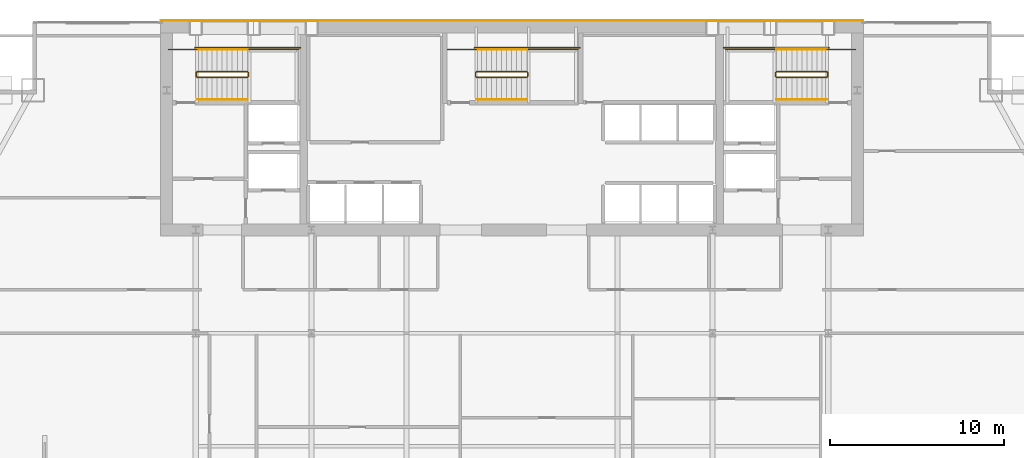
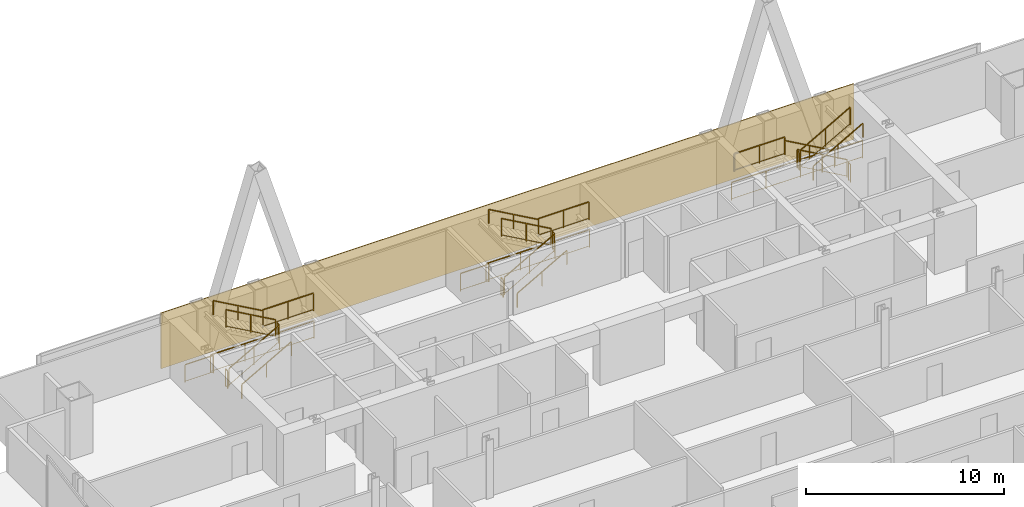
# One storey, part 30 of 30: 27 railings, 1 covering.
"""IFC4 building model written with IfcOpenShell, lengths in metres."""

from ifc_helpers import new_model, si_unit, direction, frame, origin, origin_2d, place, context, subcontext, project, spatial, polyline, rectangle, outline, extrude, material, layer, layer_set, type_object, element, save


model = new_model("IFC4")

# Units and contexts
model_context = context("Model", 3, precision=1e-05, world=origin(), true_north=direction((0.0, 1.0)))
body_context = subcontext(model_context, "Body", "Model", "MODEL_VIEW")
ifc_project = project(units=[si_unit("LENGTHUNIT", "METRE"), si_unit("AREAUNIT", "SQUARE_METRE"), si_unit("VOLUMEUNIT", "CUBIC_METRE"), si_unit("PLANEANGLEUNIT", "RADIAN"), si_unit("MASSUNIT", "GRAM", prefix="KILO")], contexts=[model_context])

# Site, building, storey
site_placement = place(None, origin())
site = spatial("IfcSite", under=ifc_project, at=site_placement, CompositionType="ELEMENT")
building_placement = place(site_placement, origin())
building = spatial("IfcBuilding", under=site, at=building_placement, Name="Khoronbel Lancet Exchange", CompositionType="ELEMENT")
storey_placement = place(building_placement, frame((0.0, 0.0, 136.199951171875)))
storey = spatial("IfcBuildingStorey", under=building, at=storey_placement, Name="L33", CompositionType="ELEMENT", Elevation=136.199951171875)

# Covering
ifc_material_1 = material(Name="Honed Egyptian Limestone & Bronze Rainscreen", Category="masonry")
ifc_layer = layer(ifc_material_1, 0.050048828125, Name="Honed Egyptian Limestone & Bronze Rainscreen")
ifc_layer_set = layer_set([ifc_layer], Name="Honed Egyptian Limestone & Bronze Rainscreen")
covering_type = type_object("IfcCoveringType", Name="COV-CLAD1", PredefinedType="CLADDING", material=ifc_layer_set)
covering_placement = place(storey_placement, origin())
element("IfcCovering", 1, at=covering_placement, inside=storey, type_object=covering_type, Name="Level L33 north rear-core stone and bronze rainscreen cladding", PredefinedType="CLADDING", context=body_context, shape_type="SweptSolid", body=[
    extrude(outline(polyline([(16.199951171875, 53.699951171875), (56.699951171875, 53.699951171875), (56.699951171875, 53.75), (16.199951171875, 53.75), (16.199951171875, 53.699951171875)])), origin(), (0.0, 0.0, 1.0), 3.43994140625),
])

# Railings
ifc_material_2 = material(Name="Painted Steel Balustrade", Category="steel")
railing_type_1 = type_object("IfcRailingType", Name="RL-STG110", PredefinedType="GUARDRAIL", material=ifc_material_2)
railing_1_placement = place(storey_placement, frame((18.300048828125, 50.449951171875, 0.16357421875)))
element("IfcRailing", 2, at=railing_1_placement, inside=storey, type_object=railing_type_1, Name="L33 ST1 stair guard 1", PredefinedType="GUARDRAIL", context=body_context, shape_type="SweptSolid", body=[
    extrude(rectangle(XDim=0.048095703125, YDim=0.048095703125, at=origin_2d()), frame((0.0, 0.0, 1.09619140625), z_axis=(0.870897200241, 0.0, 0.491465224214), x_axis=(0.0, 1.0, 0.0)), (0.0, 0.0, 1.0), 3.329833984375),
    extrude(rectangle(XDim=0.02392578125, YDim=0.02392578125, at=origin_2d()), frame((0.0, 0.0, 0.080078125), z_axis=(0.870897200241, 0.0, 0.491465224214), x_axis=(0.0, 1.0, 0.0)), (0.0, 0.0, 1.0), 3.329833984375),
    extrude(rectangle(XDim=0.0419921875, YDim=0.0419921875, at=origin_2d()), origin(), (0.0, 0.0, 1.0), 1.072021484375),
    extrude(rectangle(XDim=0.0419921875, YDim=0.0419921875, at=origin_2d()), frame((1.449951171875, 0.0, 0.818359375)), (0.0, 0.0, 1.0), 1.072021484375),
    extrude(rectangle(XDim=0.0419921875, YDim=0.0419921875, at=origin_2d()), frame((2.89990234375, 0.0, 1.636474609375)), (0.0, 0.0, 1.0), 1.072021484375),
])
railing_2_placement = place(storey_placement, frame((21.25, 50.5, 1.800048828125)))
element("IfcRailing", 3, at=railing_2_placement, inside=storey, type_object=railing_type_1, Name="L33 ST1 stair guard 2", PredefinedType="GUARDRAIL", context=body_context, shape_type="SweptSolid", body=[
    extrude(rectangle(XDim=0.048095703125, YDim=0.048095703125, at=origin_2d()), frame((0.0, 0.0, 1.09619140625), z_axis=(0.0, 1.0, 0.0), x_axis=(-1.0, 0.0, 0.0)), (0.0, 0.0, 1.0), 0.219970703125),
    extrude(rectangle(XDim=0.02392578125, YDim=0.02392578125, at=origin_2d()), frame((0.0, 0.0, 0.080078125), z_axis=(0.0, 1.0, 0.0), x_axis=(-1.0, 0.0, 0.0)), (0.0, 0.0, 1.0), 0.219970703125),
    extrude(rectangle(XDim=0.0419921875, YDim=0.0419921875, at=origin_2d()), origin(), (0.0, 0.0, 1.0), 1.072021484375),
    extrude(rectangle(XDim=0.0419921875, YDim=0.0419921875, at=origin_2d()), frame((0.0, 0.219970703125, 0.0)), (0.0, 0.0, 1.0), 1.072021484375),
])
railing_3_placement = place(storey_placement, frame((21.199951171875, 52.050048828125, 1.800048828125)))
element("IfcRailing", 4, at=railing_3_placement, inside=storey, type_object=railing_type_1, Name="L33 ST1 stair guard 3", PredefinedType="GUARDRAIL", context=body_context, shape_type="SweptSolid", body=[
    extrude(rectangle(XDim=0.048095703125, YDim=0.048095703125, at=origin_2d()), frame((0.0, 0.0, 1.09619140625), z_axis=(1.0, 0.0, 0.0), x_axis=(0.0, 1.0, 0.0)), (0.0, 0.0, 1.0), 2.949951171875),
    extrude(rectangle(XDim=0.02392578125, YDim=0.02392578125, at=origin_2d()), frame((0.0, 0.0, 0.080078125), z_axis=(1.0, 0.0, 0.0), x_axis=(0.0, 1.0, 0.0)), (0.0, 0.0, 1.0), 2.949951171875),
    extrude(rectangle(XDim=0.0419921875, YDim=0.0419921875, at=origin_2d()), origin(), (0.0, 0.0, 1.0), 1.072021484375),
    extrude(rectangle(XDim=0.0419921875, YDim=0.0419921875, at=origin_2d()), frame((1.47509765625, 0.0, 0.0)), (0.0, 0.0, 1.0), 1.072021484375),
    extrude(rectangle(XDim=0.0419921875, YDim=0.0419921875, at=origin_2d()), frame((2.949951171875, 0.0, 0.0)), (0.0, 0.0, 1.0), 1.072021484375),
])
railing_4_placement = place(storey_placement, frame((21.199951171875, 50.77001953125, 1.963623046875)))
element("IfcRailing", 5, at=railing_4_placement, inside=storey, type_object=railing_type_1, Name="L33 ST1 stair guard 4", PredefinedType="GUARDRAIL", context=body_context, shape_type="SweptSolid", body=[
    extrude(rectangle(XDim=0.048095703125, YDim=0.048095703125, at=origin_2d()), frame((0.0, 0.0, 1.09619140625), z_axis=(-0.870897200241, 0.0, 0.491465224214), x_axis=(0.0, -1.0, 0.0)), (0.0, 0.0, 1.0), 3.329833984375),
    extrude(rectangle(XDim=0.02392578125, YDim=0.02392578125, at=origin_2d()), frame((0.0, 0.0, 0.080078125), z_axis=(-0.870897200241, 0.0, 0.491465224214), x_axis=(0.0, -1.0, 0.0)), (0.0, 0.0, 1.0), 3.329833984375),
    extrude(rectangle(XDim=0.0419921875, YDim=0.0419921875, at=origin_2d()), origin(), (0.0, 0.0, 1.0), 1.072021484375),
    extrude(rectangle(XDim=0.0419921875, YDim=0.0419921875, at=origin_2d()), frame((-1.449951171875, 0.0, 0.818359375)), (0.0, 0.0, 1.0), 1.072021484375),
    extrude(rectangle(XDim=0.0419921875, YDim=0.0419921875, at=origin_2d()), frame((-2.89990234375, 0.0, 1.636474609375)), (0.0, 0.0, 1.0), 1.072021484375),
])
railing_5_placement = place(storey_placement, frame((18.25, 50.5, 0.0)))
element("IfcRailing", 6, at=railing_5_placement, inside=storey, type_object=railing_type_1, Name="L33 ST1 stair guard 5", PredefinedType="GUARDRAIL", context=body_context, shape_type="SweptSolid", body=[
    extrude(rectangle(XDim=0.048095703125, YDim=0.048095703125, at=origin_2d()), frame((0.0, 0.0, 1.09619140625), z_axis=(0.0, 1.0, 0.0), x_axis=(-1.0, 0.0, 0.0)), (0.0, 0.0, 1.0), 0.219970703125),
    extrude(rectangle(XDim=0.02392578125, YDim=0.02392578125, at=origin_2d()), frame((0.0, 0.0, 0.080078125), z_axis=(0.0, 1.0, 0.0), x_axis=(-1.0, 0.0, 0.0)), (0.0, 0.0, 1.0), 0.219970703125),
    extrude(rectangle(XDim=0.0419921875, YDim=0.0419921875, at=origin_2d()), origin(), (0.0, 0.0, 1.0), 1.072021484375),
    extrude(rectangle(XDim=0.0419921875, YDim=0.0419921875, at=origin_2d()), frame((0.0, 0.219970703125, 0.0)), (0.0, 0.0, 1.0), 1.072021484375),
])
railing_6_placement = place(storey_placement, frame((16.64990234375, 52.050048828125, 0.0)))
element("IfcRailing", 7, at=railing_6_placement, inside=storey, type_object=railing_type_1, Name="L33 ST1 stair guard 6", PredefinedType="GUARDRAIL", context=body_context, shape_type="SweptSolid", body=[
    extrude(rectangle(XDim=0.048095703125, YDim=0.048095703125, at=origin_2d()), frame((0.0, 0.0, 1.09619140625), z_axis=(1.0, 0.0, 0.0), x_axis=(0.0, 1.0, 0.0)), (0.0, 0.0, 1.0), 1.650146484375),
    extrude(rectangle(XDim=0.02392578125, YDim=0.02392578125, at=origin_2d()), frame((0.0, 0.0, 0.080078125), z_axis=(1.0, 0.0, 0.0), x_axis=(0.0, 1.0, 0.0)), (0.0, 0.0, 1.0), 1.650146484375),
    extrude(rectangle(XDim=0.0419921875, YDim=0.0419921875, at=origin_2d()), origin(), (0.0, 0.0, 1.0), 1.072021484375),
    extrude(rectangle(XDim=0.0419921875, YDim=0.0419921875, at=origin_2d()), frame((1.650146484375, 0.0, 0.0)), (0.0, 0.0, 1.0), 1.072021484375),
])
railing_7_placement = place(storey_placement, frame((18.199951171875, 52.14990234375, 0.0)))
element("IfcRailing", 8, at=railing_7_placement, inside=storey, type_object=railing_type_1, Name="L33 ST1 stair guard 7", PredefinedType="GUARDRAIL", context=body_context, shape_type="SweptSolid", body=[
    extrude(rectangle(XDim=0.048095703125, YDim=0.048095703125, at=origin_2d()), frame((0.0, 0.0, 1.09619140625), z_axis=(1.0, 0.0, 0.0), x_axis=(0.0, 1.0, 0.0)), (0.0, 0.0, 1.0), 6.050048828125),
    extrude(rectangle(XDim=0.02392578125, YDim=0.02392578125, at=origin_2d()), frame((0.0, 0.0, 0.080078125), z_axis=(1.0, 0.0, 0.0), x_axis=(0.0, 1.0, 0.0)), (0.0, 0.0, 1.0), 6.050048828125),
    extrude(rectangle(XDim=0.0419921875, YDim=0.0419921875, at=origin_2d()), origin(), (0.0, 0.0, 1.0), 1.072021484375),
    extrude(rectangle(XDim=0.0419921875, YDim=0.0419921875, at=origin_2d()), frame((2.0166015625, 0.0, 0.0)), (0.0, 0.0, 1.0), 1.072021484375),
    extrude(rectangle(XDim=0.0419921875, YDim=0.0419921875, at=origin_2d()), frame((4.033447265625, 0.0, 0.0)), (0.0, 0.0, 1.0), 1.072021484375),
    extrude(rectangle(XDim=0.0419921875, YDim=0.0419921875, at=origin_2d()), frame((6.050048828125, 0.0, 0.0)), (0.0, 0.0, 1.0), 1.072021484375),
])
railing_8_placement = place(storey_placement, frame((54.60009765625, 50.77001953125, 0.16357421875)))
element("IfcRailing", 9, at=railing_8_placement, inside=storey, type_object=railing_type_1, Name="L33 ST2 stair guard 1", PredefinedType="GUARDRAIL", context=body_context, shape_type="SweptSolid", body=[
    extrude(rectangle(XDim=0.048095703125, YDim=0.048095703125, at=origin_2d()), frame((0.0, 0.0, 1.09619140625), z_axis=(-0.870914908162, 0.0, 0.491433843708), x_axis=(0.0, -1.0, 0.0)), (0.0, 0.0, 1.0), 3.330078125),
    extrude(rectangle(XDim=0.02392578125, YDim=0.02392578125, at=origin_2d()), frame((0.0, 0.0, 0.080078125), z_axis=(-0.870914908162, 0.0, 0.491433843708), x_axis=(0.0, -1.0, 0.0)), (0.0, 0.0, 1.0), 3.330078125),
    extrude(rectangle(XDim=0.0419921875, YDim=0.0419921875, at=origin_2d()), origin(), (0.0, 0.0, 1.0), 1.072021484375),
    extrude(rectangle(XDim=0.0419921875, YDim=0.0419921875, at=origin_2d()), frame((-1.4501953125, 0.0, 0.818359375)), (0.0, 0.0, 1.0), 1.072021484375),
    extrude(rectangle(XDim=0.0419921875, YDim=0.0419921875, at=origin_2d()), frame((-2.900146484375, 0.0, 1.636474609375)), (0.0, 0.0, 1.0), 1.072021484375),
])
railing_9_placement = place(storey_placement, frame((51.64990234375, 50.719970703125, 1.800048828125)))
element("IfcRailing", 10, at=railing_9_placement, inside=storey, type_object=railing_type_1, Name="L33 ST2 stair guard 2", PredefinedType="GUARDRAIL", context=body_context, shape_type="SweptSolid", body=[
    extrude(rectangle(XDim=0.048095703125, YDim=0.048095703125, at=origin_2d()), frame((0.0, 0.0, 1.09619140625), z_axis=(0.0, -1.0, 0.0), x_axis=(1.0, 0.0, 0.0)), (0.0, 0.0, 1.0), 0.219970703125),
    extrude(rectangle(XDim=0.02392578125, YDim=0.02392578125, at=origin_2d()), frame((0.0, 0.0, 0.080078125), z_axis=(0.0, -1.0, 0.0), x_axis=(1.0, 0.0, 0.0)), (0.0, 0.0, 1.0), 0.219970703125),
    extrude(rectangle(XDim=0.0419921875, YDim=0.0419921875, at=origin_2d()), origin(), (0.0, 0.0, 1.0), 1.072021484375),
    extrude(rectangle(XDim=0.0419921875, YDim=0.0419921875, at=origin_2d()), frame((0.0, -0.219970703125, 0.0)), (0.0, 0.0, 1.0), 1.072021484375),
])
railing_10_placement = place(storey_placement, frame((51.699951171875, 52.050048828125, 1.800048828125)))
element("IfcRailing", 11, at=railing_10_placement, inside=storey, type_object=railing_type_1, Name="L33 ST2 stair guard 3", PredefinedType="GUARDRAIL", context=body_context, shape_type="SweptSolid", body=[
    extrude(rectangle(XDim=0.048095703125, YDim=0.048095703125, at=origin_2d()), frame((0.0, 0.0, 1.09619140625), z_axis=(-1.0, 0.0, 0.0), x_axis=(0.0, -1.0, 0.0)), (0.0, 0.0, 1.0), 2.949951171875),
    extrude(rectangle(XDim=0.02392578125, YDim=0.02392578125, at=origin_2d()), frame((0.0, 0.0, 0.080078125), z_axis=(-1.0, 0.0, 0.0), x_axis=(0.0, -1.0, 0.0)), (0.0, 0.0, 1.0), 2.949951171875),
    extrude(rectangle(XDim=0.0419921875, YDim=0.0419921875, at=origin_2d()), origin(), (0.0, 0.0, 1.0), 1.072021484375),
    extrude(rectangle(XDim=0.0419921875, YDim=0.0419921875, at=origin_2d()), frame((-1.47509765625, 0.0, 0.0)), (0.0, 0.0, 1.0), 1.072021484375),
    extrude(rectangle(XDim=0.0419921875, YDim=0.0419921875, at=origin_2d()), frame((-2.949951171875, 0.0, 0.0)), (0.0, 0.0, 1.0), 1.072021484375),
])
railing_11_placement = place(storey_placement, frame((51.699951171875, 50.449951171875, 1.963623046875)))
element("IfcRailing", 12, at=railing_11_placement, inside=storey, type_object=railing_type_1, Name="L33 ST2 stair guard 4", PredefinedType="GUARDRAIL", context=body_context, shape_type="SweptSolid", body=[
    extrude(rectangle(XDim=0.048095703125, YDim=0.048095703125, at=origin_2d()), frame((0.0, 0.0, 1.09619140625), z_axis=(0.870914908162, 0.0, 0.491433843708), x_axis=(0.0, 1.0, 0.0)), (0.0, 0.0, 1.0), 3.330078125),
    extrude(rectangle(XDim=0.02392578125, YDim=0.02392578125, at=origin_2d()), frame((0.0, 0.0, 0.080078125), z_axis=(0.870914908162, 0.0, 0.491433843708), x_axis=(0.0, 1.0, 0.0)), (0.0, 0.0, 1.0), 3.330078125),
    extrude(rectangle(XDim=0.0419921875, YDim=0.0419921875, at=origin_2d()), origin(), (0.0, 0.0, 1.0), 1.072021484375),
    extrude(rectangle(XDim=0.0419921875, YDim=0.0419921875, at=origin_2d()), frame((1.4501953125, 0.0, 0.818359375)), (0.0, 0.0, 1.0), 1.072021484375),
    extrude(rectangle(XDim=0.0419921875, YDim=0.0419921875, at=origin_2d()), frame((2.900146484375, 0.0, 1.636474609375)), (0.0, 0.0, 1.0), 1.072021484375),
])
railing_12_placement = place(storey_placement, frame((54.64990234375, 50.719970703125, 0.0)))
element("IfcRailing", 13, at=railing_12_placement, inside=storey, type_object=railing_type_1, Name="L33 ST2 stair guard 5", PredefinedType="GUARDRAIL", context=body_context, shape_type="SweptSolid", body=[
    extrude(rectangle(XDim=0.048095703125, YDim=0.048095703125, at=origin_2d()), frame((0.0, 0.0, 1.09619140625), z_axis=(0.0, -1.0, 0.0), x_axis=(1.0, 0.0, 0.0)), (0.0, 0.0, 1.0), 0.219970703125),
    extrude(rectangle(XDim=0.02392578125, YDim=0.02392578125, at=origin_2d()), frame((0.0, 0.0, 0.080078125), z_axis=(0.0, -1.0, 0.0), x_axis=(1.0, 0.0, 0.0)), (0.0, 0.0, 1.0), 0.219970703125),
    extrude(rectangle(XDim=0.0419921875, YDim=0.0419921875, at=origin_2d()), origin(), (0.0, 0.0, 1.0), 1.072021484375),
    extrude(rectangle(XDim=0.0419921875, YDim=0.0419921875, at=origin_2d()), frame((0.0, -0.219970703125, 0.0)), (0.0, 0.0, 1.0), 1.072021484375),
])
railing_13_placement = place(storey_placement, frame((56.25, 52.050048828125, 0.0)))
element("IfcRailing", 14, at=railing_13_placement, inside=storey, type_object=railing_type_1, Name="L33 ST2 stair guard 6", PredefinedType="GUARDRAIL", context=body_context, shape_type="SweptSolid", body=[
    extrude(rectangle(XDim=0.048095703125, YDim=0.048095703125, at=origin_2d()), frame((0.0, 0.0, 1.09619140625), z_axis=(-1.0, 0.0, 0.0), x_axis=(0.0, -1.0, 0.0)), (0.0, 0.0, 1.0), 1.64990234375),
    extrude(rectangle(XDim=0.02392578125, YDim=0.02392578125, at=origin_2d()), frame((0.0, 0.0, 0.080078125), z_axis=(-1.0, 0.0, 0.0), x_axis=(0.0, -1.0, 0.0)), (0.0, 0.0, 1.0), 1.64990234375),
    extrude(rectangle(XDim=0.0419921875, YDim=0.0419921875, at=origin_2d()), origin(), (0.0, 0.0, 1.0), 1.072021484375),
    extrude(rectangle(XDim=0.0419921875, YDim=0.0419921875, at=origin_2d()), frame((-1.64990234375, 0.0, 0.0)), (0.0, 0.0, 1.0), 1.072021484375),
])
railing_14_placement = place(storey_placement, frame((54.699951171875, 52.14990234375, 0.0)))
element("IfcRailing", 15, at=railing_14_placement, inside=storey, type_object=railing_type_1, Name="L33 ST2 stair guard 7", PredefinedType="GUARDRAIL", context=body_context, shape_type="SweptSolid", body=[
    extrude(rectangle(XDim=0.048095703125, YDim=0.048095703125, at=origin_2d()), frame((0.0, 0.0, 1.09619140625), z_axis=(-1.0, 0.0, 0.0), x_axis=(0.0, -1.0, 0.0)), (0.0, 0.0, 1.0), 6.050048828125),
    extrude(rectangle(XDim=0.02392578125, YDim=0.02392578125, at=origin_2d()), frame((0.0, 0.0, 0.080078125), z_axis=(-1.0, 0.0, 0.0), x_axis=(0.0, -1.0, 0.0)), (0.0, 0.0, 1.0), 6.050048828125),
    extrude(rectangle(XDim=0.0419921875, YDim=0.0419921875, at=origin_2d()), origin(), (0.0, 0.0, 1.0), 1.072021484375),
    extrude(rectangle(XDim=0.0419921875, YDim=0.0419921875, at=origin_2d()), frame((-2.0166015625, 0.0, 0.0)), (0.0, 0.0, 1.0), 1.072021484375),
    extrude(rectangle(XDim=0.0419921875, YDim=0.0419921875, at=origin_2d()), frame((-4.033447265625, 0.0, 0.0)), (0.0, 0.0, 1.0), 1.072021484375),
    extrude(rectangle(XDim=0.0419921875, YDim=0.0419921875, at=origin_2d()), frame((-6.050048828125, 0.0, 0.0)), (0.0, 0.0, 1.0), 1.072021484375),
])
railing_15_placement = place(storey_placement, frame((34.39990234375, 50.449951171875, 0.16357421875)))
element("IfcRailing", 16, at=railing_15_placement, inside=storey, type_object=railing_type_1, Name="L33 ST3 stair guard 1", PredefinedType="GUARDRAIL", context=body_context, shape_type="SweptSolid", body=[
    extrude(rectangle(XDim=0.048095703125, YDim=0.048095703125, at=origin_2d()), frame((0.0, 0.0, 1.09619140625), z_axis=(0.870914908162, 0.0, 0.491433843708), x_axis=(0.0, 1.0, 0.0)), (0.0, 0.0, 1.0), 3.330078125),
    extrude(rectangle(XDim=0.02392578125, YDim=0.02392578125, at=origin_2d()), frame((0.0, 0.0, 0.080078125), z_axis=(0.870914908162, 0.0, 0.491433843708), x_axis=(0.0, 1.0, 0.0)), (0.0, 0.0, 1.0), 3.330078125),
    extrude(rectangle(XDim=0.0419921875, YDim=0.0419921875, at=origin_2d()), origin(), (0.0, 0.0, 1.0), 1.072021484375),
    extrude(rectangle(XDim=0.0419921875, YDim=0.0419921875, at=origin_2d()), frame((1.4501953125, 0.0, 0.818359375)), (0.0, 0.0, 1.0), 1.072021484375),
    extrude(rectangle(XDim=0.0419921875, YDim=0.0419921875, at=origin_2d()), frame((2.900146484375, 0.0, 1.636474609375)), (0.0, 0.0, 1.0), 1.072021484375),
])
railing_16_placement = place(storey_placement, frame((37.35009765625, 50.5, 1.800048828125)))
element("IfcRailing", 17, at=railing_16_placement, inside=storey, type_object=railing_type_1, Name="L33 ST3 stair guard 2", PredefinedType="GUARDRAIL", context=body_context, shape_type="SweptSolid", body=[
    extrude(rectangle(XDim=0.048095703125, YDim=0.048095703125, at=origin_2d()), frame((0.0, 0.0, 1.09619140625), z_axis=(0.0, 1.0, 0.0), x_axis=(-1.0, 0.0, 0.0)), (0.0, 0.0, 1.0), 0.219970703125),
    extrude(rectangle(XDim=0.02392578125, YDim=0.02392578125, at=origin_2d()), frame((0.0, 0.0, 0.080078125), z_axis=(0.0, 1.0, 0.0), x_axis=(-1.0, 0.0, 0.0)), (0.0, 0.0, 1.0), 0.219970703125),
    extrude(rectangle(XDim=0.0419921875, YDim=0.0419921875, at=origin_2d()), origin(), (0.0, 0.0, 1.0), 1.072021484375),
    extrude(rectangle(XDim=0.0419921875, YDim=0.0419921875, at=origin_2d()), frame((0.0, 0.219970703125, 0.0)), (0.0, 0.0, 1.0), 1.072021484375),
])
railing_17_placement = place(storey_placement, frame((37.300048828125, 52.050048828125, 1.800048828125)))
element("IfcRailing", 18, at=railing_17_placement, inside=storey, type_object=railing_type_1, Name="L33 ST3 stair guard 3", PredefinedType="GUARDRAIL", context=body_context, shape_type="SweptSolid", body=[
    extrude(rectangle(XDim=0.048095703125, YDim=0.048095703125, at=origin_2d()), frame((0.0, 0.0, 1.09619140625), z_axis=(1.0, 0.0, 0.0), x_axis=(0.0, 1.0, 0.0)), (0.0, 0.0, 1.0), 2.949951171875),
    extrude(rectangle(XDim=0.02392578125, YDim=0.02392578125, at=origin_2d()), frame((0.0, 0.0, 0.080078125), z_axis=(1.0, 0.0, 0.0), x_axis=(0.0, 1.0, 0.0)), (0.0, 0.0, 1.0), 2.949951171875),
    extrude(rectangle(XDim=0.0419921875, YDim=0.0419921875, at=origin_2d()), origin(), (0.0, 0.0, 1.0), 1.072021484375),
    extrude(rectangle(XDim=0.0419921875, YDim=0.0419921875, at=origin_2d()), frame((1.47509765625, 0.0, 0.0)), (0.0, 0.0, 1.0), 1.072021484375),
    extrude(rectangle(XDim=0.0419921875, YDim=0.0419921875, at=origin_2d()), frame((2.949951171875, 0.0, 0.0)), (0.0, 0.0, 1.0), 1.072021484375),
])
railing_18_placement = place(storey_placement, frame((37.300048828125, 50.77001953125, 1.963623046875)))
element("IfcRailing", 19, at=railing_18_placement, inside=storey, type_object=railing_type_1, Name="L33 ST3 stair guard 4", PredefinedType="GUARDRAIL", context=body_context, shape_type="SweptSolid", body=[
    extrude(rectangle(XDim=0.048095703125, YDim=0.048095703125, at=origin_2d()), frame((0.0, 0.0, 1.09619140625), z_axis=(-0.870914908162, 0.0, 0.491433843708), x_axis=(0.0, -1.0, 0.0)), (0.0, 0.0, 1.0), 3.330078125),
    extrude(rectangle(XDim=0.02392578125, YDim=0.02392578125, at=origin_2d()), frame((0.0, 0.0, 0.080078125), z_axis=(-0.870914908162, 0.0, 0.491433843708), x_axis=(0.0, -1.0, 0.0)), (0.0, 0.0, 1.0), 3.330078125),
    extrude(rectangle(XDim=0.0419921875, YDim=0.0419921875, at=origin_2d()), origin(), (0.0, 0.0, 1.0), 1.072021484375),
    extrude(rectangle(XDim=0.0419921875, YDim=0.0419921875, at=origin_2d()), frame((-1.4501953125, 0.0, 0.818359375)), (0.0, 0.0, 1.0), 1.072021484375),
    extrude(rectangle(XDim=0.0419921875, YDim=0.0419921875, at=origin_2d()), frame((-2.900146484375, 0.0, 1.636474609375)), (0.0, 0.0, 1.0), 1.072021484375),
])
railing_19_placement = place(storey_placement, frame((34.35009765625, 50.5, 0.0)))
element("IfcRailing", 20, at=railing_19_placement, inside=storey, type_object=railing_type_1, Name="L33 ST3 stair guard 5", PredefinedType="GUARDRAIL", context=body_context, shape_type="SweptSolid", body=[
    extrude(rectangle(XDim=0.048095703125, YDim=0.048095703125, at=origin_2d()), frame((0.0, 0.0, 1.09619140625), z_axis=(0.0, 1.0, 0.0), x_axis=(-1.0, 0.0, 0.0)), (0.0, 0.0, 1.0), 0.219970703125),
    extrude(rectangle(XDim=0.02392578125, YDim=0.02392578125, at=origin_2d()), frame((0.0, 0.0, 0.080078125), z_axis=(0.0, 1.0, 0.0), x_axis=(-1.0, 0.0, 0.0)), (0.0, 0.0, 1.0), 0.219970703125),
    extrude(rectangle(XDim=0.0419921875, YDim=0.0419921875, at=origin_2d()), origin(), (0.0, 0.0, 1.0), 1.072021484375),
    extrude(rectangle(XDim=0.0419921875, YDim=0.0419921875, at=origin_2d()), frame((0.0, 0.219970703125, 0.0)), (0.0, 0.0, 1.0), 1.072021484375),
])
railing_20_placement = place(storey_placement, frame((32.75, 52.050048828125, 0.0)))
element("IfcRailing", 21, at=railing_20_placement, inside=storey, type_object=railing_type_1, Name="L33 ST3 stair guard 6", PredefinedType="GUARDRAIL", context=body_context, shape_type="SweptSolid", body=[
    extrude(rectangle(XDim=0.048095703125, YDim=0.048095703125, at=origin_2d()), frame((0.0, 0.0, 1.09619140625), z_axis=(1.0, 0.0, 0.0), x_axis=(0.0, 1.0, 0.0)), (0.0, 0.0, 1.0), 1.64990234375),
    extrude(rectangle(XDim=0.02392578125, YDim=0.02392578125, at=origin_2d()), frame((0.0, 0.0, 0.080078125), z_axis=(1.0, 0.0, 0.0), x_axis=(0.0, 1.0, 0.0)), (0.0, 0.0, 1.0), 1.64990234375),
    extrude(rectangle(XDim=0.0419921875, YDim=0.0419921875, at=origin_2d()), origin(), (0.0, 0.0, 1.0), 1.072021484375),
    extrude(rectangle(XDim=0.0419921875, YDim=0.0419921875, at=origin_2d()), frame((1.64990234375, 0.0, 0.0)), (0.0, 0.0, 1.0), 1.072021484375),
])
railing_21_placement = place(storey_placement, frame((34.300048828125, 52.14990234375, 0.0)))
element("IfcRailing", 22, at=railing_21_placement, inside=storey, type_object=railing_type_1, Name="L33 ST3 stair guard 7", PredefinedType="GUARDRAIL", context=body_context, shape_type="SweptSolid", body=[
    extrude(rectangle(XDim=0.048095703125, YDim=0.048095703125, at=origin_2d()), frame((0.0, 0.0, 1.09619140625), z_axis=(1.0, 0.0, 0.0), x_axis=(0.0, 1.0, 0.0)), (0.0, 0.0, 1.0), 6.050048828125),
    extrude(rectangle(XDim=0.02392578125, YDim=0.02392578125, at=origin_2d()), frame((0.0, 0.0, 0.080078125), z_axis=(1.0, 0.0, 0.0), x_axis=(0.0, 1.0, 0.0)), (0.0, 0.0, 1.0), 6.050048828125),
    extrude(rectangle(XDim=0.0419921875, YDim=0.0419921875, at=origin_2d()), origin(), (0.0, 0.0, 1.0), 1.072021484375),
    extrude(rectangle(XDim=0.0419921875, YDim=0.0419921875, at=origin_2d()), frame((2.0166015625, 0.0, 0.0)), (0.0, 0.0, 1.0), 1.072021484375),
    extrude(rectangle(XDim=0.0419921875, YDim=0.0419921875, at=origin_2d()), frame((4.033447265625, 0.0, 0.0)), (0.0, 0.0, 1.0), 1.072021484375),
    extrude(rectangle(XDim=0.0419921875, YDim=0.0419921875, at=origin_2d()), frame((6.050048828125, 0.0, 0.0)), (0.0, 0.0, 1.0), 1.072021484375),
])
ifc_material_3 = material(Name="Brushed Stainless Steel 316", Category="steel")
railing_type_2 = type_object("IfcRailingType", Name="RL-STH92", PredefinedType="HANDRAIL", material=ifc_material_3)
railing_22_placement = place(storey_placement, frame((18.300048828125, 49.169921875, 0.16357421875)))
element("IfcRailing", 23, at=railing_22_placement, inside=storey, type_object=railing_type_2, Name="L33 ST1 stair handrail 1", PredefinedType="HANDRAIL", context=body_context, shape_type="SweptSolid", body=[
    extrude(rectangle(XDim=0.048095703125, YDim=0.048095703125, at=origin_2d()), frame((0.0, 0.0, 0.8759765625), z_axis=(0.870897200241, 0.0, 0.491465224214), x_axis=(0.0, 1.0, 0.0)), (0.0, 0.0, 1.0), 3.329833984375),
    extrude(rectangle(XDim=0.0419921875, YDim=0.0419921875, at=origin_2d()), origin(), (0.0, 0.0, 1.0), 0.851806640625),
    extrude(rectangle(XDim=0.0419921875, YDim=0.0419921875, at=origin_2d()), frame((1.449951171875, 0.0, 0.818359375)), (0.0, 0.0, 1.0), 0.851806640625),
    extrude(rectangle(XDim=0.0419921875, YDim=0.0419921875, at=origin_2d()), frame((2.89990234375, 0.0, 1.636474609375)), (0.0, 0.0, 1.0), 0.851806640625),
])
railing_23_placement = place(storey_placement, frame((21.199951171875, 52.050048828125, 1.963623046875)))
element("IfcRailing", 24, at=railing_23_placement, inside=storey, type_object=railing_type_2, Name="L33 ST1 stair handrail 2", PredefinedType="HANDRAIL", context=body_context, shape_type="SweptSolid", body=[
    extrude(rectangle(XDim=0.048095703125, YDim=0.048095703125, at=origin_2d()), frame((0.0, 0.0, 0.8759765625), z_axis=(-0.870897200241, 0.0, 0.491465224214), x_axis=(0.0, -1.0, 0.0)), (0.0, 0.0, 1.0), 3.329833984375),
    extrude(rectangle(XDim=0.0419921875, YDim=0.0419921875, at=origin_2d()), origin(), (0.0, 0.0, 1.0), 0.851806640625),
    extrude(rectangle(XDim=0.0419921875, YDim=0.0419921875, at=origin_2d()), frame((-1.449951171875, 0.0, 0.818359375)), (0.0, 0.0, 1.0), 0.851806640625),
    extrude(rectangle(XDim=0.0419921875, YDim=0.0419921875, at=origin_2d()), frame((-2.89990234375, 0.0, 1.636474609375)), (0.0, 0.0, 1.0), 0.851806640625),
])
railing_24_placement = place(storey_placement, frame((54.60009765625, 52.050048828125, 0.16357421875)))
element("IfcRailing", 25, at=railing_24_placement, inside=storey, type_object=railing_type_2, Name="L33 ST2 stair handrail 1", PredefinedType="HANDRAIL", context=body_context, shape_type="SweptSolid", body=[
    extrude(rectangle(XDim=0.048095703125, YDim=0.048095703125, at=origin_2d()), frame((0.0, 0.0, 0.8759765625), z_axis=(-0.870914908162, 0.0, 0.491433843708), x_axis=(0.0, -1.0, 0.0)), (0.0, 0.0, 1.0), 3.330078125),
    extrude(rectangle(XDim=0.0419921875, YDim=0.0419921875, at=origin_2d()), origin(), (0.0, 0.0, 1.0), 0.851806640625),
    extrude(rectangle(XDim=0.0419921875, YDim=0.0419921875, at=origin_2d()), frame((-1.4501953125, 0.0, 0.818359375)), (0.0, 0.0, 1.0), 0.851806640625),
    extrude(rectangle(XDim=0.0419921875, YDim=0.0419921875, at=origin_2d()), frame((-2.900146484375, 0.0, 1.636474609375)), (0.0, 0.0, 1.0), 0.851806640625),
])
for number, where, name in (
    (26, (51.699951171875, 49.169921875, 1.963623046875), "L33 ST2 stair handrail 2"),
    (27, (34.39990234375, 49.169921875, 0.16357421875), "L33 ST3 stair handrail 1"),
):
    element("IfcRailing", number, at=place(storey_placement, frame(where)), inside=storey, type_object=railing_type_2, Name=name, PredefinedType="HANDRAIL", context=body_context, shape_type="SweptSolid", body=[
        extrude(rectangle(XDim=0.048095703125, YDim=0.048095703125, at=origin_2d()), frame((0.0, 0.0, 0.8759765625), z_axis=(0.870914908162, 0.0, 0.491433843708), x_axis=(0.0, 1.0, 0.0)), (0.0, 0.0, 1.0), 3.330078125),
        extrude(rectangle(XDim=0.0419921875, YDim=0.0419921875, at=origin_2d()), origin(), (0.0, 0.0, 1.0), 0.851806640625),
        extrude(rectangle(XDim=0.0419921875, YDim=0.0419921875, at=origin_2d()), frame((1.4501953125, 0.0, 0.818359375)), (0.0, 0.0, 1.0), 0.851806640625),
        extrude(rectangle(XDim=0.0419921875, YDim=0.0419921875, at=origin_2d()), frame((2.900146484375, 0.0, 1.636474609375)), (0.0, 0.0, 1.0), 0.851806640625),
    ])
railing_25_placement = place(storey_placement, frame((37.300048828125, 52.050048828125, 1.963623046875)))
element("IfcRailing", 28, at=railing_25_placement, inside=storey, type_object=railing_type_2, Name="L33 ST3 stair handrail 2", PredefinedType="HANDRAIL", context=body_context, shape_type="SweptSolid", body=[
    extrude(rectangle(XDim=0.048095703125, YDim=0.048095703125, at=origin_2d()), frame((0.0, 0.0, 0.8759765625), z_axis=(-0.870914908162, 0.0, 0.491433843708), x_axis=(0.0, -1.0, 0.0)), (0.0, 0.0, 1.0), 3.330078125),
    extrude(rectangle(XDim=0.0419921875, YDim=0.0419921875, at=origin_2d()), origin(), (0.0, 0.0, 1.0), 0.851806640625),
    extrude(rectangle(XDim=0.0419921875, YDim=0.0419921875, at=origin_2d()), frame((-1.4501953125, 0.0, 0.818359375)), (0.0, 0.0, 1.0), 0.851806640625),
    extrude(rectangle(XDim=0.0419921875, YDim=0.0419921875, at=origin_2d()), frame((-2.900146484375, 0.0, 1.636474609375)), (0.0, 0.0, 1.0), 0.851806640625),
])

save(model, "model.ifc")
